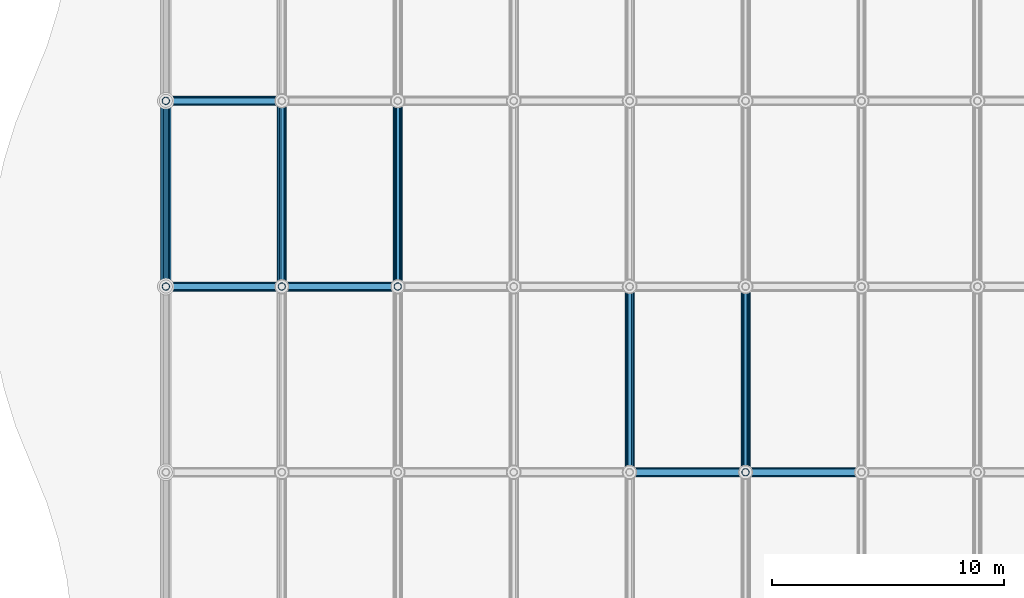
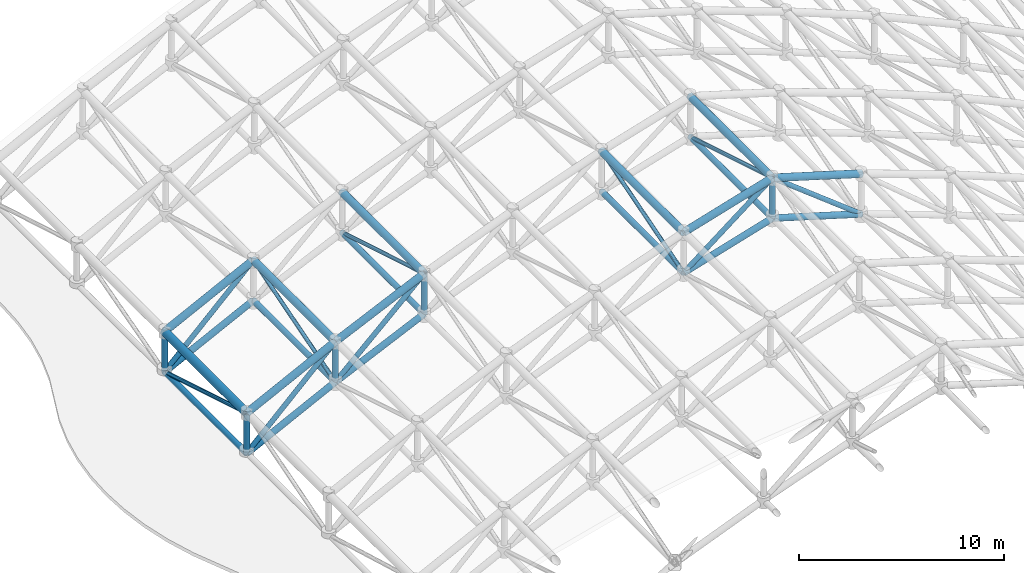
# One storey, part 5 of 11: 35 members.
"""IFC4 building model written with IfcOpenShell, lengths in metres."""

from ifc_helpers import new_model, si_unit, direction, frame, origin, origin_2d, place, context, subcontext, project, spatial, hollow_circle, extrude, material, material_profile, profile_set, type_object, element, save


model = new_model("IFC4")

# Units and contexts
model_context = context("Model", 3, precision=1e-05, world=origin(), true_north=direction((0.0, 1.0)))
body_context = subcontext(model_context, "Body", "Model", "MODEL_VIEW")
ifc_project = project(units=[si_unit("LENGTHUNIT", "METRE"), si_unit("AREAUNIT", "SQUARE_METRE"), si_unit("VOLUMEUNIT", "CUBIC_METRE"), si_unit("PLANEANGLEUNIT", "RADIAN"), si_unit("MASSUNIT", "GRAM", prefix="KILO")], contexts=[model_context])

# Site, building, storey
site_placement = place(None, origin())
site = spatial("IfcSite", under=ifc_project, at=site_placement, CompositionType="ELEMENT")
building_placement = place(site_placement, origin())
building = spatial("IfcBuilding", under=site, at=building_placement, Name="Kazehara Bluff Congress Hotel", CompositionType="ELEMENT")
storey_placement = place(building_placement, frame((0.0, 0.0, 50.39990234375)))
storey = spatial("IfcBuildingStorey", under=building, at=storey_placement, Name="RF", CompositionType="ELEMENT", Elevation=50.39990234375)

# Members
ifc_material_1 = material(Name="Steel STK490", Category="steel")
ifc_material_profile_1 = material_profile(ifc_material_1, hollow_circle(Radius=0.177734375, WallThickness=0.0126953125, at=origin_2d()))
ifc_profile_set_1 = profile_set([ifc_material_profile_1], Name="Steel STK490")
member_type_1 = type_object("IfcMemberType", Name="TP-SF-BC1", PredefinedType="CHORD", material=ifc_profile_set_1)
for number, where, z_axis, x_axis, name in (
    (1, (28.3798828125, 80.89990234375, -22.0), (0.957748948325, 0.0, 0.287605549292), (0.0, 1.0, 0.0), "Congress roof space frame bottom arch chord 90"),
    (2, (33.375, 80.89990234375, -20.5), (0.957748948325, 0.0, -0.287605549292), (0.0, 1.0, 0.0), "Congress roof space frame bottom arch chord 92"),
):
    element("IfcMember", number, at=place(storey_placement, frame(where, z_axis=z_axis, x_axis=x_axis)), inside=storey, type_object=member_type_1, Name=name, PredefinedType="CHORD", context=body_context, shape_type="SweptSolid", body=[
        extrude(hollow_circle(Radius=0.177734375, WallThickness=0.0126953125, at=origin_2d()), origin(), (0.0, 0.0, 1.0), 5.215576171875),
    ])
member_1_placement = place(storey_placement, frame((8.39990234375, 88.89990234375, -30.599853515625), z_axis=(0.894252293271, 0.0, 0.447563220093), x_axis=(0.0, 1.0, 0.0)))
element("IfcMember", 3, at=member_1_placement, inside=storey, type_object=member_type_1, Name="Congress roof space frame bottom arch chord 102", PredefinedType="CHORD", context=body_context, shape_type="SweptSolid", body=[
    extrude(hollow_circle(Radius=0.177734375, WallThickness=0.0126953125, at=origin_2d()), origin(), (0.0, 0.0, 1.0), 5.585693359375),
])
member_2_placement = place(storey_placement, frame((13.39501953125, 88.89990234375, -28.099853515625), z_axis=(0.908324180475, 0.0, 0.41826688031), x_axis=(0.0, 1.0, 0.0)))
element("IfcMember", 4, at=member_2_placement, inside=storey, type_object=member_type_1, Name="Congress roof space frame bottom arch chord 104", PredefinedType="CHORD", context=body_context, shape_type="SweptSolid", body=[
    extrude(hollow_circle(Radius=0.177734375, WallThickness=0.0126953125, at=origin_2d()), origin(), (0.0, 0.0, 1.0), 5.4990234375),
])
member_3_placement = place(storey_placement, frame((8.39990234375, 96.89990234375, -30.599853515625), z_axis=(0.894252293271, 0.0, 0.447563220093), x_axis=(0.0, 1.0, 0.0)))
element("IfcMember", 5, at=member_3_placement, inside=storey, type_object=member_type_1, Name="Congress roof space frame bottom arch chord 122", PredefinedType="CHORD", context=body_context, shape_type="SweptSolid", body=[
    extrude(hollow_circle(Radius=0.177734375, WallThickness=0.0126953125, at=origin_2d()), origin(), (0.0, 0.0, 1.0), 5.585693359375),
])
ifc_material_2 = material(Name="Steel STK490", Category="steel")
ifc_material_profile_2 = material_profile(ifc_material_2, hollow_circle(Radius=0.1591796875, WallThickness=0.01025390625, at=origin_2d()))
ifc_profile_set_2 = profile_set([ifc_material_profile_2], Name="Steel STK490")
member_type_2 = type_object("IfcMemberType", Name="TP-SF-BC2", PredefinedType="CHORD", material=ifc_profile_set_2)
for number, where, z_axis, x_axis, name in (
    (6, (8.39990234375, 88.89990234375, -30.599853515625), (0.0, 1.0, 0.0), (-1.0, 0.0, 0.0), "Congress roof space frame bottom longitudinal chord 192"),
    (7, (13.39501953125, 88.89990234375, -28.099853515625), (0.0, 1.0, 0.0), (-1.0, 0.0, 0.0), "Congress roof space frame bottom longitudinal chord 208"),
    (8, (18.389892578125, 88.89990234375, -25.7998046875), (0.0, 1.0, 0.0), (-1.0, 0.0, 0.0), "Congress roof space frame bottom longitudinal chord 224"),
    (9, (28.3798828125, 80.89990234375, -22.0), (0.0, 1.0, 0.0), (-1.0, 0.0, 0.0), "Congress roof space frame bottom longitudinal chord 254"),
    (10, (33.375, 80.89990234375, -20.5), (0.0, 1.0, 0.0), (-1.0, 0.0, 0.0), "Congress roof space frame bottom longitudinal chord 270"),
):
    element("IfcMember", number, at=place(storey_placement, frame(where, z_axis=z_axis, x_axis=x_axis)), inside=storey, type_object=member_type_2, Name=name, PredefinedType="CHORD", context=body_context, shape_type="SweptSolid", body=[
        extrude(hollow_circle(Radius=0.1591796875, WallThickness=0.01025390625, at=origin_2d()), origin(), (0.0, 0.0, 1.0), 8.0),
    ])
ifc_material_3 = material(Name="Steel STK490", Category="steel")
ifc_material_profile_3 = material_profile(ifc_material_3, hollow_circle(Radius=0.1337890625, WallThickness=0.00927734375, at=origin_2d()))
ifc_profile_set_3 = profile_set([ifc_material_profile_3], Name="Steel STK490")
member_type_3 = type_object("IfcMemberType", Name="TP-SF-DG1", PredefinedType="BRACE", material=ifc_profile_set_3)
for number, where, z_axis, x_axis, name in (
    (11, (28.3798828125, 80.89990234375, -22.0), (0.788199556762, 0.0, 0.6154197419), (0.0, 1.0, 0.0), "Congress roof space frame arch web diagonal 500"),
    (12, (33.375, 80.89990234375, -18.099853515625), (0.788199556762, 0.0, -0.6154197419), (0.0, 1.0, 0.0), "Congress roof space frame arch web diagonal 501"),
):
    element("IfcMember", number, at=place(storey_placement, frame(where, z_axis=z_axis, x_axis=x_axis)), inside=storey, type_object=member_type_3, Name=name, PredefinedType="BRACE", context=body_context, shape_type="SweptSolid", body=[
        extrude(hollow_circle(Radius=0.1337890625, WallThickness=0.00927734375, at=origin_2d()), origin(), (0.0, 0.0, 1.0), 6.33740234375),
    ])
member_4_placement = place(storey_placement, frame((8.39990234375, 88.89990234375, -30.599853515625), z_axis=(0.713877868379, 0.0, 0.700270225726), x_axis=(0.0, 1.0, 0.0)))
element("IfcMember", 13, at=member_4_placement, inside=storey, type_object=member_type_3, Name="Congress roof space frame arch web diagonal 506", PredefinedType="BRACE", context=body_context, shape_type="SweptSolid", body=[
    extrude(hollow_circle(Radius=0.1337890625, WallThickness=0.00927734375, at=origin_2d()), origin(), (0.0, 0.0, 1.0), 6.9970703125),
])
member_5_placement = place(storey_placement, frame((13.39501953125, 88.89990234375, -28.099853515625), z_axis=(0.728280456647, 0.0, 0.685279195997), x_axis=(0.0, 1.0, 0.0)))
element("IfcMember", 14, at=member_5_placement, inside=storey, type_object=member_type_3, Name="Congress roof space frame arch web diagonal 507", PredefinedType="BRACE", context=body_context, shape_type="SweptSolid", body=[
    extrude(hollow_circle(Radius=0.1337890625, WallThickness=0.00927734375, at=origin_2d()), origin(), (0.0, 0.0, 1.0), 6.8583984375),
])
member_6_placement = place(storey_placement, frame((8.39990234375, 96.89990234375, -30.599853515625), z_axis=(0.713877868379, 0.0, 0.700270225726), x_axis=(0.0, 1.0, 0.0)))
element("IfcMember", 15, at=member_6_placement, inside=storey, type_object=member_type_3, Name="Congress roof space frame arch web diagonal 516", PredefinedType="BRACE", context=body_context, shape_type="SweptSolid", body=[
    extrude(hollow_circle(Radius=0.1337890625, WallThickness=0.00927734375, at=origin_2d()), origin(), (0.0, 0.0, 1.0), 6.9970703125),
])
ifc_material_4 = material(Name="Steel STK490", Category="steel")
ifc_material_profile_4 = material_profile(ifc_material_4, hollow_circle(Radius=0.108154296875, WallThickness=0.00830078125, at=origin_2d()))
ifc_profile_set_4 = profile_set([ifc_material_profile_4], Name="Steel STK490")
member_type_4 = type_object("IfcMemberType", Name="TP-SF-DG2", PredefinedType="BRACE", material=ifc_profile_set_4)
for number, where, z_axis, x_axis, name in (
    (16, (8.39990234375, 88.89990234375, -28.199951171875), (0.0, 0.957829503213, -0.287337158709), (-1.0, 0.0, 0.0), "Congress roof space frame transverse web diagonal 551"),
    (17, (13.39501953125, 88.89990234375, -28.099853515625), (0.0, 0.957829503213, 0.287337158709), (-1.0, 0.0, 0.0), "Congress roof space frame transverse web diagonal 559"),
    (18, (18.389892578125, 88.89990234375, -23.39990234375), (0.0, 0.957829503213, -0.287337158709), (-1.0, 0.0, 0.0), "Congress roof space frame transverse web diagonal 567"),
    (19, (28.3798828125, 80.89990234375, -22.0), (0.0, 0.957821458049, 0.287363975649), (-1.0, 0.0, 0.0), "Congress roof space frame transverse web diagonal 582"),
    (20, (33.375, 80.89990234375, -18.099853515625), (0.0, 0.957821458049, -0.287363975649), (-1.0, 0.0, 0.0), "Congress roof space frame transverse web diagonal 590"),
):
    element("IfcMember", number, at=place(storey_placement, frame(where, z_axis=z_axis, x_axis=x_axis)), inside=storey, type_object=member_type_4, Name=name, PredefinedType="BRACE", context=body_context, shape_type="SweptSolid", body=[
        extrude(hollow_circle(Radius=0.108154296875, WallThickness=0.00830078125, at=origin_2d()), origin(), (0.0, 0.0, 1.0), 8.352294921875),
    ])
ifc_material_5 = material(Name="Steel STK490", Category="steel")
ifc_material_profile_5 = material_profile(ifc_material_5, hollow_circle(Radius=0.1591796875, WallThickness=0.01025390625, at=origin_2d()))
ifc_profile_set_5 = profile_set([ifc_material_profile_5], Name="Steel STK490")
member_type_5 = type_object("IfcMemberType", Name="TP-SF-PS1", PredefinedType="POST", material=ifc_profile_set_5)
for number, where, z_axis, x_axis, name in (
    (21, (8.39990234375, 88.89990234375, -30.599853515625), (0.0, 0.0, 1.0), (1.0, 0.0, 0.0), "Congress roof space frame vertical post 362"),
    (22, (8.39990234375, 96.89990234375, -30.599853515625), (0.0, 0.0, 1.0), (1.0, 0.0, 0.0), "Congress roof space frame vertical post 363"),
    (23, (13.39501953125, 88.89990234375, -28.099853515625), (0.0, 0.0, 1.0), (1.0, 0.0, 0.0), "Congress roof space frame vertical post 371"),
    (24, (18.389892578125, 88.89990234375, -25.7998046875), (0.0, 0.0, 1.0), (1.0, 0.0, 0.0), "Congress roof space frame vertical post 380"),
):
    element("IfcMember", number, at=place(storey_placement, frame(where, z_axis=z_axis, x_axis=x_axis)), inside=storey, type_object=member_type_5, Name=name, PredefinedType="POST", context=body_context, shape_type="SweptSolid", body=[
        extrude(hollow_circle(Radius=0.1591796875, WallThickness=0.01025390625, at=origin_2d()), origin(), (0.0, 0.0, 1.0), 2.39990234375),
    ])
member_7_placement = place(storey_placement, frame((33.375, 80.89990234375, -20.5), z_axis=(0.0, 0.0, 1.0), x_axis=(1.0, 0.0, 0.0)))
element("IfcMember", 25, at=member_7_placement, inside=storey, type_object=member_type_5, Name="Congress roof space frame vertical post 406", PredefinedType="POST", context=body_context, shape_type="SweptSolid", body=[
    extrude(hollow_circle(Radius=0.1591796875, WallThickness=0.01025390625, at=origin_2d()), origin(), (0.0, 0.0, 1.0), 2.400146484375),
])
ifc_material_6 = material(Name="Steel STK490", Category="steel")
ifc_material_profile_6 = material_profile(ifc_material_6, hollow_circle(Radius=0.203125, WallThickness=0.0126953125, at=origin_2d()))
ifc_profile_set_6 = profile_set([ifc_material_profile_6], Name="Steel STK490")
member_type_6 = type_object("IfcMemberType", Name="TP-SF-TC1", PredefinedType="CHORD", material=ifc_profile_set_6)
for number, where, z_axis, x_axis, name in (
    (26, (28.3798828125, 80.89990234375, -19.599853515625), (0.957748948325, 0.0, 0.287605549292), (0.0, 1.0, 0.0), "Congress roof space frame top arch chord 89"),
    (27, (33.375, 80.89990234375, -18.099853515625), (0.957748948325, 0.0, -0.287605549292), (0.0, 1.0, 0.0), "Congress roof space frame top arch chord 91"),
):
    element("IfcMember", number, at=place(storey_placement, frame(where, z_axis=z_axis, x_axis=x_axis)), inside=storey, type_object=member_type_6, Name=name, PredefinedType="CHORD", context=body_context, shape_type="SweptSolid", body=[
        extrude(hollow_circle(Radius=0.203125, WallThickness=0.0126953125, at=origin_2d()), origin(), (0.0, 0.0, 1.0), 5.215576171875),
    ])
member_8_placement = place(storey_placement, frame((8.39990234375, 88.89990234375, -28.199951171875), z_axis=(0.894252293271, 0.0, 0.447563220093), x_axis=(0.0, 1.0, 0.0)))
element("IfcMember", 28, at=member_8_placement, inside=storey, type_object=member_type_6, Name="Congress roof space frame top arch chord 101", PredefinedType="CHORD", context=body_context, shape_type="SweptSolid", body=[
    extrude(hollow_circle(Radius=0.203125, WallThickness=0.0126953125, at=origin_2d()), origin(), (0.0, 0.0, 1.0), 5.585693359375),
])
member_9_placement = place(storey_placement, frame((13.39501953125, 88.89990234375, -25.699951171875), z_axis=(0.908324180475, 0.0, 0.41826688031), x_axis=(0.0, 1.0, 0.0)))
element("IfcMember", 29, at=member_9_placement, inside=storey, type_object=member_type_6, Name="Congress roof space frame top arch chord 103", PredefinedType="CHORD", context=body_context, shape_type="SweptSolid", body=[
    extrude(hollow_circle(Radius=0.203125, WallThickness=0.0126953125, at=origin_2d()), origin(), (0.0, 0.0, 1.0), 5.4990234375),
])
member_10_placement = place(storey_placement, frame((8.39990234375, 96.89990234375, -28.199951171875), z_axis=(0.894252293271, 0.0, 0.447563220093), x_axis=(0.0, 1.0, 0.0)))
element("IfcMember", 30, at=member_10_placement, inside=storey, type_object=member_type_6, Name="Congress roof space frame top arch chord 121", PredefinedType="CHORD", context=body_context, shape_type="SweptSolid", body=[
    extrude(hollow_circle(Radius=0.203125, WallThickness=0.0126953125, at=origin_2d()), origin(), (0.0, 0.0, 1.0), 5.585693359375),
])
for number, where, z_axis, x_axis, name in (
    (31, (13.39501953125, 88.89990234375, -25.699951171875), (0.0, 1.0, 0.0), (-1.0, 0.0, 0.0), "Congress roof space frame top longitudinal chord 207"),
    (32, (18.389892578125, 88.89990234375, -23.39990234375), (0.0, 1.0, 0.0), (-1.0, 0.0, 0.0), "Congress roof space frame top longitudinal chord 223"),
    (33, (28.3798828125, 80.89990234375, -19.599853515625), (0.0, 1.0, 0.0), (-1.0, 0.0, 0.0), "Congress roof space frame top longitudinal chord 253"),
    (34, (33.375, 80.89990234375, -18.099853515625), (0.0, 1.0, 0.0), (-1.0, 0.0, 0.0), "Congress roof space frame top longitudinal chord 269"),
):
    element("IfcMember", number, at=place(storey_placement, frame(where, z_axis=z_axis, x_axis=x_axis)), inside=storey, type_object=member_type_6, Name=name, PredefinedType="CHORD", context=body_context, shape_type="SweptSolid", body=[
        extrude(hollow_circle(Radius=0.203125, WallThickness=0.0126953125, at=origin_2d()), origin(), (0.0, 0.0, 1.0), 8.0),
    ])
ifc_material_7 = material(Name="Steel STK490", Category="steel")
ifc_material_profile_7 = material_profile(ifc_material_7, hollow_circle(Radius=0.228515625, WallThickness=0.013916015625, at=origin_2d()))
ifc_profile_set_7 = profile_set([ifc_material_profile_7], Name="Steel STK490")
member_type_7 = type_object("IfcMemberType", Name="TP-SF-TC2", PredefinedType="CHORD", material=ifc_profile_set_7)
member_11_placement = place(storey_placement, frame((8.39990234375, 88.89990234375, -28.199951171875), z_axis=(0.0, 1.0, 0.0), x_axis=(-1.0, 0.0, 0.0)))
element("IfcMember", 35, at=member_11_placement, inside=storey, type_object=member_type_7, Name="Congress roof space frame top longitudinal chord 191", PredefinedType="CHORD", context=body_context, shape_type="SweptSolid", body=[
    extrude(hollow_circle(Radius=0.228515625, WallThickness=0.013916015625, at=origin_2d()), origin(), (0.0, 0.0, 1.0), 8.0),
])

save(model, "model.ifc")
